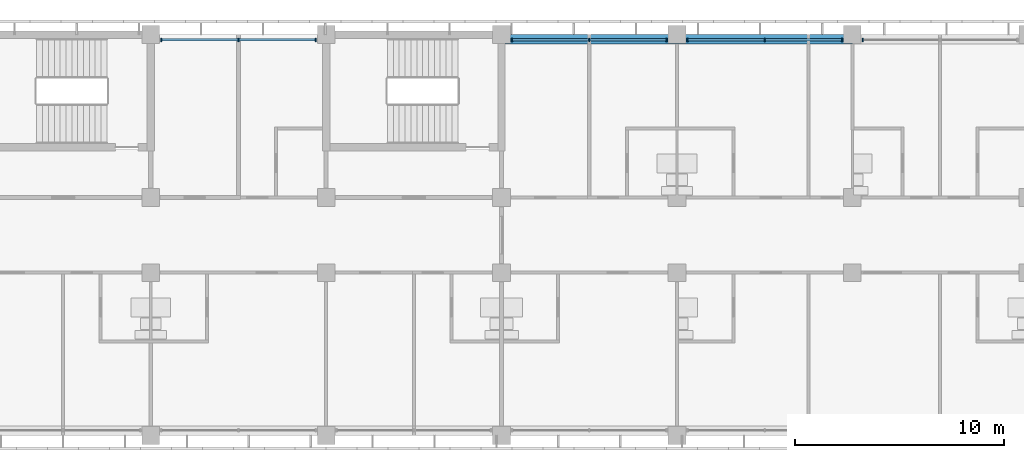
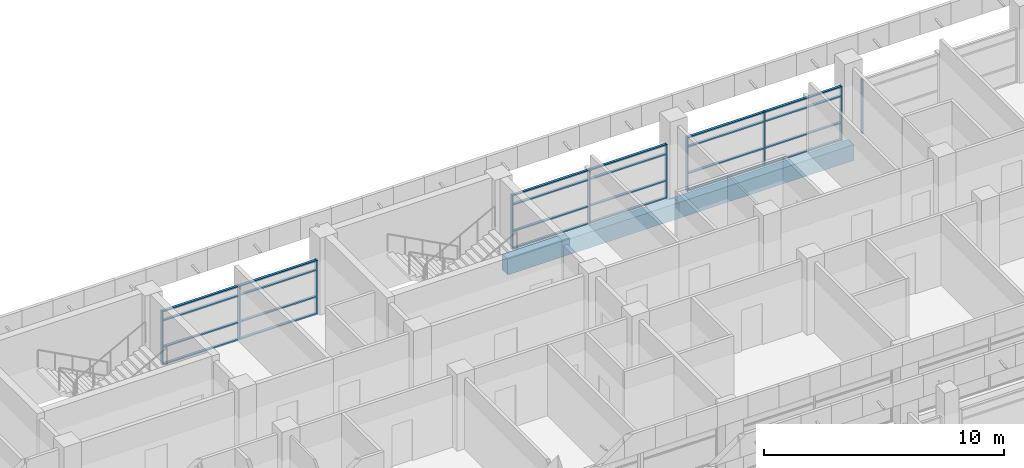
# One storey, part 17 of 74: 34 members, 2 beams, 4 elements without a shape of their own.
"""IFC4 building model written with IfcOpenShell, lengths in metres."""

from ifc_helpers import new_model, si_unit, direction, frame, origin, origin_2d, place, context, subcontext, project, spatial, rectangle, extrude, material, material_profile, profile_set, type_object, element, aggregate, save


model = new_model("IFC4")

# Units and contexts
model_context = context("Model", 3, precision=1e-05, world=origin(), true_north=direction((0.0, 1.0)))
body_context = subcontext(model_context, "Body", "Model", "MODEL_VIEW")
ifc_project = project(units=[si_unit("LENGTHUNIT", "METRE"), si_unit("AREAUNIT", "SQUARE_METRE"), si_unit("VOLUMEUNIT", "CUBIC_METRE"), si_unit("PLANEANGLEUNIT", "RADIAN"), si_unit("MASSUNIT", "GRAM", prefix="KILO")], contexts=[model_context])

# Site, building, storey
site_placement = place(None, origin())
site = spatial("IfcSite", under=ifc_project, at=site_placement, CompositionType="ELEMENT")
building_placement = place(site_placement, origin())
building = spatial("IfcBuilding", under=site, at=building_placement, Name="Bougainvillea Quay General Hospital", CompositionType="ELEMENT")
storey_placement = place(building_placement, frame((0.0, 0.0, 21.0)))
storey = spatial("IfcBuildingStorey", under=building, at=storey_placement, Name="L04", CompositionType="ELEMENT", Elevation=21.0)

# Curtain wall, member
ifc_material_1 = material(Name="Aluminium curtain wall system, powder-coated glazed", Category="aluminium")
curtain_wall_type = type_object("IfcCurtainWallType", Name="Unitised curtain wall CW-3730", PredefinedType="NOTDEFINED", material=ifc_material_1)
curtain_wall_1_placement = place(storey_placement, origin())
curtain_wall_1 = element("IfcCurtainWall", 1, at=curtain_wall_1_placement, inside=storey, type_object=curtain_wall_type, Name="CW-4200 04", PredefinedType="NOTDEFINED")
ifc_material_2 = material(Name="Aluminium mullion, powder-coated charcoal", Category="aluminium")
ifc_material_profile_1 = material_profile(ifc_material_2, rectangle(XDim=0.159912109375, YDim=0.06005859375, at=origin_2d()))
ifc_profile_set_1 = profile_set([ifc_material_profile_1], Name="Aluminium mullion, powder-coated charcoal")
member_type_1 = type_object("IfcMemberType", Name="Curtain wall mullion 160x60", PredefinedType="MULLION", material=ifc_profile_set_1)
member_1_placement = place(storey_placement, frame((126.5, 159.35009765625, 0.0), z_axis=(0.0, 0.0, 1.0), x_axis=(0.0, -1.0, 0.0)))
member_1 = element("IfcMember", 2, at=member_1_placement, type_object=member_type_1, Name="CW-4200 mullion 3", PredefinedType="MULLION", context=body_context, shape_type="SweptSolid", body=[
    extrude(rectangle(XDim=0.159912109375, YDim=0.06005859375, at=origin_2d()), origin(), (0.0, 0.0, 1.0), 2.75),
])
aggregate(curtain_wall_1, [member_1])

# Curtain wall, members
curtain_wall_2_placement = place(storey_placement, origin())
curtain_wall_2 = element("IfcCurtainWall", 3, at=curtain_wall_2_placement, inside=storey, type_object=curtain_wall_type, Name="CW-4200 05", PredefinedType="NOTDEFINED")
member_2_placement = place(storey_placement, frame((125.5, 159.35009765625, 0.0), z_axis=(0.0, 0.0, 1.0), x_axis=(0.0, -1.0, 0.0)))
member_2 = element("IfcMember", 4, at=member_2_placement, type_object=member_type_1, Name="CW-4200 mullion 1", PredefinedType="MULLION", context=body_context, shape_type="SweptSolid", body=[
    extrude(rectangle(XDim=0.159912109375, YDim=0.06005859375, at=origin_2d()), origin(), (0.0, 0.0, 1.0), 2.75),
])
member_3_placement = place(storey_placement, frame((121.800048828125, 159.35009765625, 0.0), z_axis=(0.0, 0.0, 1.0), x_axis=(0.0, -1.0, 0.0)))
member_3 = element("IfcMember", 5, at=member_3_placement, type_object=member_type_1, Name="CW-4200 mullion 2", PredefinedType="MULLION", context=body_context, shape_type="SweptSolid", body=[
    extrude(rectangle(XDim=0.159912109375, YDim=0.06005859375, at=origin_2d()), origin(), (0.0, 0.0, 1.0), 2.75),
])
member_4_placement = place(storey_placement, frame((118.10009765625, 159.35009765625, 0.0), z_axis=(0.0, 0.0, 1.0), x_axis=(0.0, -1.0, 0.0)))
member_4 = element("IfcMember", 6, at=member_4_placement, type_object=member_type_1, Name="CW-4200 mullion 3", PredefinedType="MULLION", context=body_context, shape_type="SweptSolid", body=[
    extrude(rectangle(XDim=0.159912109375, YDim=0.06005859375, at=origin_2d()), origin(), (0.0, 0.0, 1.0), 2.75),
])

curtain_wall_3_placement = place(storey_placement, origin())
curtain_wall_3 = element("IfcCurtainWall", 7, at=curtain_wall_3_placement, inside=storey, type_object=curtain_wall_type, Name="CW-4200 06", PredefinedType="NOTDEFINED")
member_5_placement = place(storey_placement, frame((117.10009765625, 159.35009765625, 0.0), z_axis=(0.0, 0.0, 1.0), x_axis=(0.0, -1.0, 0.0)))
member_5 = element("IfcMember", 8, at=member_5_placement, type_object=member_type_1, Name="CW-4200 mullion 1", PredefinedType="MULLION", context=body_context, shape_type="SweptSolid", body=[
    extrude(rectangle(XDim=0.159912109375, YDim=0.06005859375, at=origin_2d()), origin(), (0.0, 0.0, 1.0), 2.75),
])
member_6_placement = place(storey_placement, frame((113.39990234375, 159.35009765625, 0.0), z_axis=(0.0, 0.0, 1.0), x_axis=(0.0, -1.0, 0.0)))
member_6 = element("IfcMember", 9, at=member_6_placement, type_object=member_type_1, Name="CW-4200 mullion 2", PredefinedType="MULLION", context=body_context, shape_type="SweptSolid", body=[
    extrude(rectangle(XDim=0.159912109375, YDim=0.06005859375, at=origin_2d()), origin(), (0.0, 0.0, 1.0), 2.75),
])
member_7_placement = place(storey_placement, frame((109.699951171875, 159.35009765625, 0.0), z_axis=(0.0, 0.0, 1.0), x_axis=(0.0, -1.0, 0.0)))
member_7 = element("IfcMember", 10, at=member_7_placement, type_object=member_type_1, Name="CW-4200 mullion 3", PredefinedType="MULLION", context=body_context, shape_type="SweptSolid", body=[
    extrude(rectangle(XDim=0.159912109375, YDim=0.06005859375, at=origin_2d()), origin(), (0.0, 0.0, 1.0), 2.75),
])

curtain_wall_4_placement = place(storey_placement, origin())
curtain_wall_4 = element("IfcCurtainWall", 11, at=curtain_wall_4_placement, inside=storey, type_object=curtain_wall_type, Name="CW-4200 07", PredefinedType="NOTDEFINED")
member_8_placement = place(storey_placement, frame((100.300048828125, 159.35009765625, 0.0), z_axis=(0.0, 0.0, 1.0), x_axis=(0.0, -1.0, 0.0)))
member_8 = element("IfcMember", 12, at=member_8_placement, type_object=member_type_1, Name="CW-4200 mullion 1", PredefinedType="MULLION", context=body_context, shape_type="SweptSolid", body=[
    extrude(rectangle(XDim=0.159912109375, YDim=0.06005859375, at=origin_2d()), origin(), (0.0, 0.0, 1.0), 2.75),
])
member_9_placement = place(storey_placement, frame((96.60009765625, 159.35009765625, 0.0), z_axis=(0.0, 0.0, 1.0), x_axis=(0.0, -1.0, 0.0)))
member_9 = element("IfcMember", 13, at=member_9_placement, type_object=member_type_1, Name="CW-4200 mullion 2", PredefinedType="MULLION", context=body_context, shape_type="SweptSolid", body=[
    extrude(rectangle(XDim=0.159912109375, YDim=0.06005859375, at=origin_2d()), origin(), (0.0, 0.0, 1.0), 2.75),
])
member_10_placement = place(storey_placement, frame((92.89990234375, 159.35009765625, 0.0), z_axis=(0.0, 0.0, 1.0), x_axis=(0.0, -1.0, 0.0)))
member_10 = element("IfcMember", 14, at=member_10_placement, type_object=member_type_1, Name="CW-4200 mullion 3", PredefinedType="MULLION", context=body_context, shape_type="SweptSolid", body=[
    extrude(rectangle(XDim=0.159912109375, YDim=0.06005859375, at=origin_2d()), origin(), (0.0, 0.0, 1.0), 2.75),
])

# Member
ifc_material_3 = material(Name="Aluminium transom, powder-coated charcoal", Category="aluminium")
ifc_material_profile_2 = material_profile(ifc_material_3, rectangle(XDim=0.1201171875, YDim=0.06005859375, at=origin_2d()))
ifc_profile_set_2 = profile_set([ifc_material_profile_2], Name="Aluminium transom, powder-coated charcoal")
member_type_2 = type_object("IfcMemberType", Name="Curtain wall transom 120x60", PredefinedType="USERDEFINED", material=ifc_profile_set_2)
member_11_placement = place(storey_placement, frame((125.469970703125, 159.35009765625, 0.030029296875), z_axis=(-1.0, 0.0, 0.0), x_axis=(0.0, -1.0, 0.0)))
member_11 = element("IfcMember", 15, at=member_11_placement, type_object=member_type_2, Name="CW-4200 transom 1.1", ObjectType="TRANSOM", PredefinedType="USERDEFINED", context=body_context, shape_type="SweptSolid", body=[
    extrude(rectangle(XDim=0.1201171875, YDim=0.06005859375, at=origin_2d()), origin(), (0.0, 0.0, 1.0), 3.639892578125),
])

member_12_placement = place(storey_placement, frame((125.469970703125, 159.35009765625, 0.89990234375), z_axis=(-1.0, 0.0, 0.0), x_axis=(0.0, -1.0, 0.0)))
member_12 = element("IfcMember", 16, at=member_12_placement, type_object=member_type_2, Name="CW-4200 transom 1.2", ObjectType="TRANSOM", PredefinedType="USERDEFINED", context=body_context, shape_type="SweptSolid", body=[
    extrude(rectangle(XDim=0.1201171875, YDim=0.06005859375, at=origin_2d()), origin(), (0.0, 0.0, 1.0), 3.639892578125),
])

member_13_placement = place(storey_placement, frame((125.469970703125, 159.35009765625, 2.25), z_axis=(-1.0, 0.0, 0.0), x_axis=(0.0, -1.0, 0.0)))
member_13 = element("IfcMember", 17, at=member_13_placement, type_object=member_type_2, Name="CW-4200 transom 1.3", ObjectType="TRANSOM", PredefinedType="USERDEFINED", context=body_context, shape_type="SweptSolid", body=[
    extrude(rectangle(XDim=0.1201171875, YDim=0.06005859375, at=origin_2d()), origin(), (0.0, 0.0, 1.0), 3.639892578125),
])

member_14_placement = place(storey_placement, frame((125.469970703125, 159.35009765625, 2.719970703125), z_axis=(-1.0, 0.0, 0.0), x_axis=(0.0, -1.0, 0.0)))
member_14 = element("IfcMember", 18, at=member_14_placement, type_object=member_type_2, Name="CW-4200 transom 1.4", ObjectType="TRANSOM", PredefinedType="USERDEFINED", context=body_context, shape_type="SweptSolid", body=[
    extrude(rectangle(XDim=0.1201171875, YDim=0.06005859375, at=origin_2d()), origin(), (0.0, 0.0, 1.0), 3.639892578125),
])

member_15_placement = place(storey_placement, frame((121.77001953125, 159.35009765625, 0.030029296875), z_axis=(-1.0, 0.0, 0.0), x_axis=(0.0, -1.0, 0.0)))
member_15 = element("IfcMember", 19, at=member_15_placement, type_object=member_type_2, Name="CW-4200 transom 2.1", ObjectType="TRANSOM", PredefinedType="USERDEFINED", context=body_context, shape_type="SweptSolid", body=[
    extrude(rectangle(XDim=0.1201171875, YDim=0.06005859375, at=origin_2d()), origin(), (0.0, 0.0, 1.0), 3.64013671875),
])

member_16_placement = place(storey_placement, frame((121.77001953125, 159.35009765625, 0.89990234375), z_axis=(-1.0, 0.0, 0.0), x_axis=(0.0, -1.0, 0.0)))
member_16 = element("IfcMember", 20, at=member_16_placement, type_object=member_type_2, Name="CW-4200 transom 2.2", ObjectType="TRANSOM", PredefinedType="USERDEFINED", context=body_context, shape_type="SweptSolid", body=[
    extrude(rectangle(XDim=0.1201171875, YDim=0.06005859375, at=origin_2d()), origin(), (0.0, 0.0, 1.0), 3.64013671875),
])

member_17_placement = place(storey_placement, frame((121.77001953125, 159.35009765625, 2.25), z_axis=(-1.0, 0.0, 0.0), x_axis=(0.0, -1.0, 0.0)))
member_17 = element("IfcMember", 21, at=member_17_placement, type_object=member_type_2, Name="CW-4200 transom 2.3", ObjectType="TRANSOM", PredefinedType="USERDEFINED", context=body_context, shape_type="SweptSolid", body=[
    extrude(rectangle(XDim=0.1201171875, YDim=0.06005859375, at=origin_2d()), origin(), (0.0, 0.0, 1.0), 3.64013671875),
])

member_18_placement = place(storey_placement, frame((121.77001953125, 159.35009765625, 2.719970703125), z_axis=(-1.0, 0.0, 0.0), x_axis=(0.0, -1.0, 0.0)))
member_18 = element("IfcMember", 22, at=member_18_placement, type_object=member_type_2, Name="CW-4200 transom 2.4", ObjectType="TRANSOM", PredefinedType="USERDEFINED", context=body_context, shape_type="SweptSolid", body=[
    extrude(rectangle(XDim=0.1201171875, YDim=0.06005859375, at=origin_2d()), origin(), (0.0, 0.0, 1.0), 3.64013671875),
])

aggregate(curtain_wall_2, [member_2, member_3, member_4, member_11, member_12, member_13, member_14, member_15, member_16, member_17, member_18])

member_19_placement = place(storey_placement, frame((117.070068359375, 159.35009765625, 0.030029296875), z_axis=(-1.0, 0.0, 0.0), x_axis=(0.0, -1.0, 0.0)))
member_19 = element("IfcMember", 23, at=member_19_placement, type_object=member_type_2, Name="CW-4200 transom 1.1", ObjectType="TRANSOM", PredefinedType="USERDEFINED", context=body_context, shape_type="SweptSolid", body=[
    extrude(rectangle(XDim=0.1201171875, YDim=0.06005859375, at=origin_2d()), origin(), (0.0, 0.0, 1.0), 3.64013671875),
])

member_20_placement = place(storey_placement, frame((117.070068359375, 159.35009765625, 0.89990234375), z_axis=(-1.0, 0.0, 0.0), x_axis=(0.0, -1.0, 0.0)))
member_20 = element("IfcMember", 24, at=member_20_placement, type_object=member_type_2, Name="CW-4200 transom 1.2", ObjectType="TRANSOM", PredefinedType="USERDEFINED", context=body_context, shape_type="SweptSolid", body=[
    extrude(rectangle(XDim=0.1201171875, YDim=0.06005859375, at=origin_2d()), origin(), (0.0, 0.0, 1.0), 3.64013671875),
])

member_21_placement = place(storey_placement, frame((117.070068359375, 159.35009765625, 2.25), z_axis=(-1.0, 0.0, 0.0), x_axis=(0.0, -1.0, 0.0)))
member_21 = element("IfcMember", 25, at=member_21_placement, type_object=member_type_2, Name="CW-4200 transom 1.3", ObjectType="TRANSOM", PredefinedType="USERDEFINED", context=body_context, shape_type="SweptSolid", body=[
    extrude(rectangle(XDim=0.1201171875, YDim=0.06005859375, at=origin_2d()), origin(), (0.0, 0.0, 1.0), 3.64013671875),
])

member_22_placement = place(storey_placement, frame((117.070068359375, 159.35009765625, 2.719970703125), z_axis=(-1.0, 0.0, 0.0), x_axis=(0.0, -1.0, 0.0)))
member_22 = element("IfcMember", 26, at=member_22_placement, type_object=member_type_2, Name="CW-4200 transom 1.4", ObjectType="TRANSOM", PredefinedType="USERDEFINED", context=body_context, shape_type="SweptSolid", body=[
    extrude(rectangle(XDim=0.1201171875, YDim=0.06005859375, at=origin_2d()), origin(), (0.0, 0.0, 1.0), 3.64013671875),
])

member_23_placement = place(storey_placement, frame((113.3701171875, 159.35009765625, 0.030029296875), z_axis=(-1.0, 0.0, 0.0), x_axis=(0.0, -1.0, 0.0)))
member_23 = element("IfcMember", 27, at=member_23_placement, type_object=member_type_2, Name="CW-4200 transom 2.1", ObjectType="TRANSOM", PredefinedType="USERDEFINED", context=body_context, shape_type="SweptSolid", body=[
    extrude(rectangle(XDim=0.1201171875, YDim=0.06005859375, at=origin_2d()), origin(), (0.0, 0.0, 1.0), 3.64013671875),
])

member_24_placement = place(storey_placement, frame((113.3701171875, 159.35009765625, 0.89990234375), z_axis=(-1.0, 0.0, 0.0), x_axis=(0.0, -1.0, 0.0)))
member_24 = element("IfcMember", 28, at=member_24_placement, type_object=member_type_2, Name="CW-4200 transom 2.2", ObjectType="TRANSOM", PredefinedType="USERDEFINED", context=body_context, shape_type="SweptSolid", body=[
    extrude(rectangle(XDim=0.1201171875, YDim=0.06005859375, at=origin_2d()), origin(), (0.0, 0.0, 1.0), 3.64013671875),
])

member_25_placement = place(storey_placement, frame((113.3701171875, 159.35009765625, 2.25), z_axis=(-1.0, 0.0, 0.0), x_axis=(0.0, -1.0, 0.0)))
member_25 = element("IfcMember", 29, at=member_25_placement, type_object=member_type_2, Name="CW-4200 transom 2.3", ObjectType="TRANSOM", PredefinedType="USERDEFINED", context=body_context, shape_type="SweptSolid", body=[
    extrude(rectangle(XDim=0.1201171875, YDim=0.06005859375, at=origin_2d()), origin(), (0.0, 0.0, 1.0), 3.64013671875),
])

member_26_placement = place(storey_placement, frame((113.3701171875, 159.35009765625, 2.719970703125), z_axis=(-1.0, 0.0, 0.0), x_axis=(0.0, -1.0, 0.0)))
member_26 = element("IfcMember", 30, at=member_26_placement, type_object=member_type_2, Name="CW-4200 transom 2.4", ObjectType="TRANSOM", PredefinedType="USERDEFINED", context=body_context, shape_type="SweptSolid", body=[
    extrude(rectangle(XDim=0.1201171875, YDim=0.06005859375, at=origin_2d()), origin(), (0.0, 0.0, 1.0), 3.64013671875),
])

aggregate(curtain_wall_3, [member_5, member_6, member_7, member_19, member_20, member_21, member_22, member_23, member_24, member_25, member_26])

member_27_placement = place(storey_placement, frame((100.27001953125, 159.35009765625, 0.030029296875), z_axis=(-1.0, 0.0, 0.0), x_axis=(0.0, -1.0, 0.0)))
member_27 = element("IfcMember", 31, at=member_27_placement, type_object=member_type_2, Name="CW-4200 transom 1.1", ObjectType="TRANSOM", PredefinedType="USERDEFINED", context=body_context, shape_type="SweptSolid", body=[
    extrude(rectangle(XDim=0.1201171875, YDim=0.06005859375, at=origin_2d()), origin(), (0.0, 0.0, 1.0), 3.64013671875),
])

member_28_placement = place(storey_placement, frame((100.27001953125, 159.35009765625, 0.89990234375), z_axis=(-1.0, 0.0, 0.0), x_axis=(0.0, -1.0, 0.0)))
member_28 = element("IfcMember", 32, at=member_28_placement, type_object=member_type_2, Name="CW-4200 transom 1.2", ObjectType="TRANSOM", PredefinedType="USERDEFINED", context=body_context, shape_type="SweptSolid", body=[
    extrude(rectangle(XDim=0.1201171875, YDim=0.06005859375, at=origin_2d()), origin(), (0.0, 0.0, 1.0), 3.64013671875),
])

member_29_placement = place(storey_placement, frame((100.27001953125, 159.35009765625, 2.25), z_axis=(-1.0, 0.0, 0.0), x_axis=(0.0, -1.0, 0.0)))
member_29 = element("IfcMember", 33, at=member_29_placement, type_object=member_type_2, Name="CW-4200 transom 1.3", ObjectType="TRANSOM", PredefinedType="USERDEFINED", context=body_context, shape_type="SweptSolid", body=[
    extrude(rectangle(XDim=0.1201171875, YDim=0.06005859375, at=origin_2d()), origin(), (0.0, 0.0, 1.0), 3.64013671875),
])

member_30_placement = place(storey_placement, frame((100.27001953125, 159.35009765625, 2.719970703125), z_axis=(-1.0, 0.0, 0.0), x_axis=(0.0, -1.0, 0.0)))
member_30 = element("IfcMember", 34, at=member_30_placement, type_object=member_type_2, Name="CW-4200 transom 1.4", ObjectType="TRANSOM", PredefinedType="USERDEFINED", context=body_context, shape_type="SweptSolid", body=[
    extrude(rectangle(XDim=0.1201171875, YDim=0.06005859375, at=origin_2d()), origin(), (0.0, 0.0, 1.0), 3.64013671875),
])

member_31_placement = place(storey_placement, frame((96.570068359375, 159.35009765625, 0.030029296875), z_axis=(-1.0, 0.0, 0.0), x_axis=(0.0, -1.0, 0.0)))
member_31 = element("IfcMember", 35, at=member_31_placement, type_object=member_type_2, Name="CW-4200 transom 2.1", ObjectType="TRANSOM", PredefinedType="USERDEFINED", context=body_context, shape_type="SweptSolid", body=[
    extrude(rectangle(XDim=0.1201171875, YDim=0.06005859375, at=origin_2d()), origin(), (0.0, 0.0, 1.0), 3.64013671875),
])

member_32_placement = place(storey_placement, frame((96.570068359375, 159.35009765625, 0.89990234375), z_axis=(-1.0, 0.0, 0.0), x_axis=(0.0, -1.0, 0.0)))
member_32 = element("IfcMember", 36, at=member_32_placement, type_object=member_type_2, Name="CW-4200 transom 2.2", ObjectType="TRANSOM", PredefinedType="USERDEFINED", context=body_context, shape_type="SweptSolid", body=[
    extrude(rectangle(XDim=0.1201171875, YDim=0.06005859375, at=origin_2d()), origin(), (0.0, 0.0, 1.0), 3.64013671875),
])

member_33_placement = place(storey_placement, frame((96.570068359375, 159.35009765625, 2.25), z_axis=(-1.0, 0.0, 0.0), x_axis=(0.0, -1.0, 0.0)))
member_33 = element("IfcMember", 37, at=member_33_placement, type_object=member_type_2, Name="CW-4200 transom 2.3", ObjectType="TRANSOM", PredefinedType="USERDEFINED", context=body_context, shape_type="SweptSolid", body=[
    extrude(rectangle(XDim=0.1201171875, YDim=0.06005859375, at=origin_2d()), origin(), (0.0, 0.0, 1.0), 3.64013671875),
])

member_34_placement = place(storey_placement, frame((96.570068359375, 159.35009765625, 2.719970703125), z_axis=(-1.0, 0.0, 0.0), x_axis=(0.0, -1.0, 0.0)))
member_34 = element("IfcMember", 38, at=member_34_placement, type_object=member_type_2, Name="CW-4200 transom 2.4", ObjectType="TRANSOM", PredefinedType="USERDEFINED", context=body_context, shape_type="SweptSolid", body=[
    extrude(rectangle(XDim=0.1201171875, YDim=0.06005859375, at=origin_2d()), origin(), (0.0, 0.0, 1.0), 3.64013671875),
])

aggregate(curtain_wall_4, [member_8, member_9, member_10, member_27, member_28, member_29, member_30, member_31, member_32, member_33, member_34])

# Beams
ifc_material_4 = material(Name="Concrete C40", Category="concrete")
ifc_material_profile_3 = material_profile(ifc_material_4, rectangle(XDim=0.449951171875, YDim=0.800048828125, at=origin_2d()))
ifc_profile_set_3 = profile_set([ifc_material_profile_3], Name="Concrete C40")
beam_type = type_object("IfcBeamType", Name="RC BEAM 450x800 C40", PredefinedType="BEAM", material=ifc_profile_set_3)
beam_1_placement = place(storey_placement, frame((126.0, 159.375, -0.699951171875), z_axis=(-1.0, 0.0, 0.0), x_axis=(0.0, -1.0, 0.0)))
element("IfcBeam", 39, at=beam_1_placement, inside=storey, type_object=beam_type, Name="Edge beam L04", PredefinedType="BEAM", context=body_context, shape_type="SweptSolid", body=[
    extrude(rectangle(XDim=0.449951171875, YDim=0.800048828125, at=origin_2d()), origin(), (0.0, 0.0, 1.0), 8.39990234375),
])
beam_2_placement = place(storey_placement, frame((117.60009765625, 159.375, -0.699951171875), z_axis=(-1.0, 0.0, 0.0), x_axis=(0.0, -1.0, 0.0)))
element("IfcBeam", 40, at=beam_2_placement, inside=storey, type_object=beam_type, Name="Edge beam L04", PredefinedType="BEAM", context=body_context, shape_type="SweptSolid", body=[
    extrude(rectangle(XDim=0.449951171875, YDim=0.800048828125, at=origin_2d()), origin(), (0.0, 0.0, 1.0), 8.22509765625),
])

save(model, "model.ifc")
